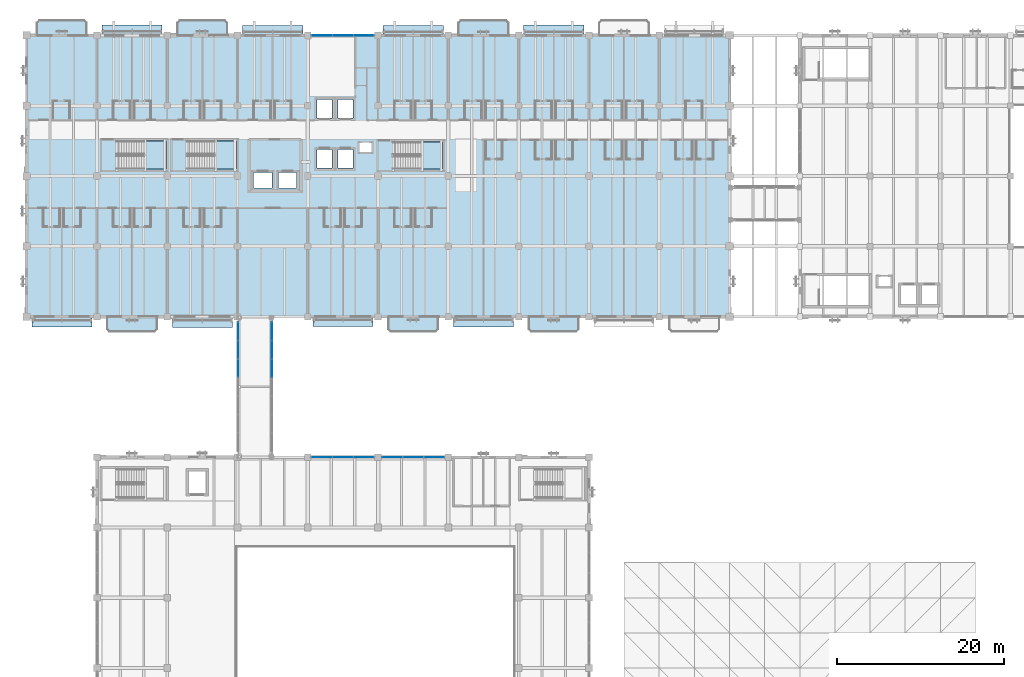
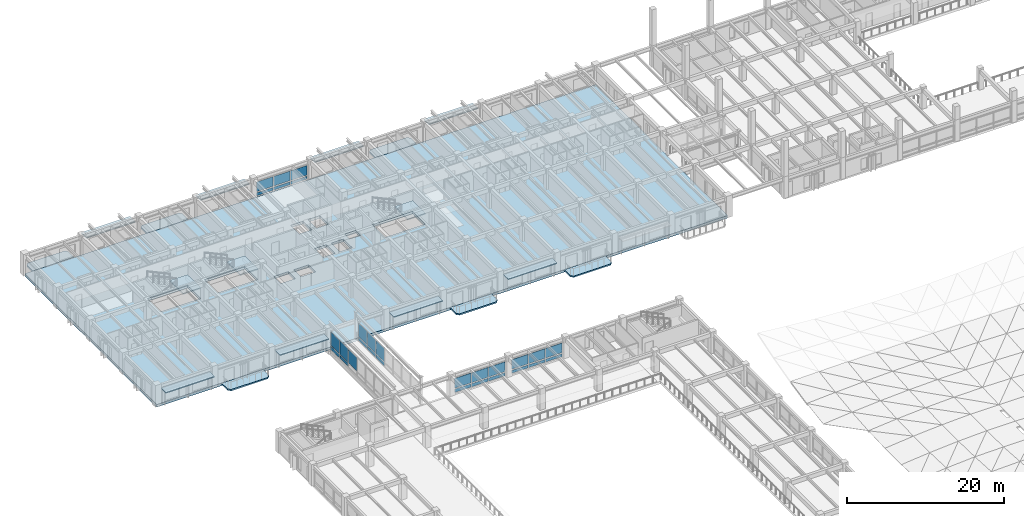
# One storey, part 67 of 123: 37 plates, 10 slabs, 16 elements without a shape of their own.
"""IFC4 building model written with IfcOpenShell, lengths in metres."""

from ifc_helpers import new_model, si_unit, direction, frame, origin, origin_2d, place, context, subcontext, project, spatial, polyline, rectangle, outline, extrude, material, layer, layer_set, type_object, element, aggregate, save


model = new_model("IFC4")

# Units and contexts
model_context = context("Model", 3, precision=1e-05, world=origin(), true_north=direction((0.0, 1.0)))
body_context = subcontext(model_context, "Body", "Model", "MODEL_VIEW")
ifc_project = project(units=[si_unit("LENGTHUNIT", "METRE"), si_unit("AREAUNIT", "SQUARE_METRE"), si_unit("VOLUMEUNIT", "CUBIC_METRE"), si_unit("PLANEANGLEUNIT", "RADIAN"), si_unit("MASSUNIT", "GRAM", prefix="KILO")], contexts=[model_context])

# Site, building, storey
site_placement = place(None, origin())
site = spatial("IfcSite", under=ifc_project, at=site_placement, CompositionType="ELEMENT")
building_placement = place(site_placement, origin())
building = spatial("IfcBuilding", under=site, at=building_placement, Name="Cumbredor Promenade Congress Hotel", CompositionType="ELEMENT")
storey_placement = place(building_placement, frame((0.0, 0.0, 11.760009765625)))
storey = spatial("IfcBuildingStorey", under=building, at=storey_placement, Name="L03", CompositionType="ELEMENT", Elevation=11.760009765625)

# Slabs
ifc_material_1 = material(Name="Concrete C40/50", Category="concrete")
ifc_layer_1 = layer(ifc_material_1, 0.215087890625, Name="Concrete C40/50", Category="concrete")
ifc_layer_set_1 = layer_set([ifc_layer_1], Name="Concrete C40/50")
slab_type_1 = type_object("IfcSlabType", Name="Cantilevered Guestroom Balcony Slab 215mm", PredefinedType="FLOOR", material=ifc_layer_set_1)
slab_1_placement = place(storey_placement, frame((0.0, 0.0, -0.215087890625)))
element("IfcSlab", 1, at=slab_1_placement, inside=storey, type_object=slab_type_1, Name="L03 Cantilevered Guestroom Veranda Balcony 012", PredefinedType="FLOOR", context=body_context, shape_type="SweptSolid", body=[
    extrude(outline(polyline([(1.14990234375, 117.60009765625), (7.25, 117.60009765625), (7.25, 119.10009765625), (6.89990234375, 119.449951171875), (1.5, 119.449951171875), (1.14990234375, 119.10009765625), (1.14990234375, 117.60009765625)])), origin(), (0.0, 0.0, 1.0), 0.215087890625),
])
slab_2_placement = place(storey_placement, frame((0.0, 0.0, -0.215087890625)))
element("IfcSlab", 2, at=slab_2_placement, inside=storey, type_object=slab_type_1, Name="L03 Cantilevered Guestroom Veranda Balcony 013", PredefinedType="FLOOR", context=body_context, shape_type="SweptSolid", body=[
    extrude(outline(polyline([(17.949951171875, 117.60009765625), (24.050048828125, 117.60009765625), (24.050048828125, 119.10009765625), (23.699951171875, 119.449951171875), (18.300048828125, 119.449951171875), (17.949951171875, 119.10009765625), (17.949951171875, 117.60009765625)])), origin(), (0.0, 0.0, 1.0), 0.215087890625),
])
slab_3_placement = place(storey_placement, frame((0.0, 0.0, -0.215087890625)))
element("IfcSlab", 3, at=slab_3_placement, inside=storey, type_object=slab_type_1, Name="L03 Cantilevered Guestroom Veranda Balcony 014", PredefinedType="FLOOR", context=body_context, shape_type="SweptSolid", body=[
    extrude(outline(polyline([(51.550048828125, 117.60009765625), (57.64990234375, 117.60009765625), (57.64990234375, 119.10009765625), (57.300048828125, 119.449951171875), (51.89990234375, 119.449951171875), (51.550048828125, 119.10009765625), (51.550048828125, 117.60009765625)])), origin(), (0.0, 0.0, 1.0), 0.215087890625),
])
slab_4_placement = place(storey_placement, frame((0.0, 0.0, -0.215087890625)))
element("IfcSlab", 4, at=slab_4_placement, inside=storey, type_object=slab_type_1, Name="L03 Cantilevered Guestroom Veranda Balcony 016", PredefinedType="FLOOR", context=body_context, shape_type="SweptSolid", body=[
    extrude(outline(polyline([(9.89990234375, 82.14990234375), (15.300048828125, 82.14990234375), (15.64990234375, 82.5), (15.64990234375, 84.0), (9.550048828125, 84.0), (9.550048828125, 82.5), (9.89990234375, 82.14990234375)])), origin(), (0.0, 0.0, 1.0), 0.215087890625),
])
slab_5_placement = place(storey_placement, frame((0.0, 0.0, -0.215087890625)))
element("IfcSlab", 5, at=slab_5_placement, inside=storey, type_object=slab_type_1, Name="L03 Cantilevered Guestroom Veranda Balcony 017", PredefinedType="FLOOR", context=body_context, shape_type="SweptSolid", body=[
    extrude(outline(polyline([(43.5, 82.14990234375), (48.89990234375, 82.14990234375), (49.25, 82.5), (49.25, 84.0), (43.14990234375, 84.0), (43.14990234375, 82.5), (43.5, 82.14990234375)])), origin(), (0.0, 0.0, 1.0), 0.215087890625),
])
slab_6_placement = place(storey_placement, frame((0.0, 0.0, -0.215087890625)))
element("IfcSlab", 6, at=slab_6_placement, inside=storey, type_object=slab_type_1, Name="L03 Cantilevered Guestroom Veranda Balcony 018", PredefinedType="FLOOR", context=body_context, shape_type="SweptSolid", body=[
    extrude(outline(polyline([(60.300048828125, 82.14990234375), (65.699951171875, 82.14990234375), (66.050048828125, 82.5), (66.050048828125, 84.0), (59.949951171875, 84.0), (59.949951171875, 82.5), (60.300048828125, 82.14990234375)])), origin(), (0.0, 0.0, 1.0), 0.215087890625),
])

# Stair, slab
stair_type_1 = type_object("IfcStairType", Name="Protected Dog-Leg Exit Stair ST-T2 1600mm", PredefinedType="HALF_TURN_STAIR", material=ifc_material_1)
stair_1_placement = place(storey_placement, origin())
stair_1 = element("IfcStair", 7, at=stair_1_placement, inside=storey, type_object=stair_type_1, Name="L03 Protected Exit Stair ST-01", PredefinedType="HALF_TURN_STAIR")
ifc_layer_2 = layer(ifc_material_1, 0.199951171875, Name="Concrete C40/50", Category="concrete")
ifc_layer_set_2 = layer_set([ifc_layer_2], Name="Concrete C40/50")
slab_type_2 = type_object("IfcSlabType", Name="Concrete Stair Landing Slab 200mm", PredefinedType="LANDING", material=ifc_layer_set_2)
slab_7_placement = place(storey_placement, frame((0.0, 0.0, 1.47998046875)))
slab_7 = element("IfcSlab", 8, at=slab_7_placement, type_object=slab_type_2, Name="ST-01 landing 1", PredefinedType="LANDING", context=body_context, shape_type="SweptSolid", body=[
    extrude(outline(polyline([(14.050048828125, 101.6201171875), (16.64990234375, 101.6201171875), (16.64990234375, 104.969970703125), (14.050048828125, 104.969970703125), (14.050048828125, 101.6201171875)])), origin(), (0.0, 0.0, 1.0), 0.199951171875),
])
aggregate(stair_1, [slab_7])

stair_2_placement = place(storey_placement, origin())
stair_2 = element("IfcStair", 9, at=stair_2_placement, inside=storey, type_object=stair_type_1, Name="L03 Protected Exit Stair ST-02", PredefinedType="HALF_TURN_STAIR")
slab_8_placement = place(storey_placement, frame((0.0, 0.0, 1.47998046875)))
slab_8 = element("IfcSlab", 10, at=slab_8_placement, type_object=slab_type_2, Name="ST-02 landing 1", PredefinedType="LANDING", context=body_context, shape_type="SweptSolid", body=[
    extrude(outline(polyline([(22.449951171875, 101.6201171875), (25.050048828125, 101.6201171875), (25.050048828125, 104.969970703125), (22.449951171875, 104.969970703125), (22.449951171875, 101.6201171875)])), origin(), (0.0, 0.0, 1.0), 0.199951171875),
])
aggregate(stair_2, [slab_8])

stair_type_2 = type_object("IfcStairType", Name="Protected Dog-Leg Exit Stair ST-T1 1550mm", PredefinedType="HALF_TURN_STAIR", material=ifc_material_1)
stair_3_placement = place(storey_placement, origin())
stair_3 = element("IfcStair", 11, at=stair_3_placement, inside=storey, type_object=stair_type_2, Name="L03 Protected Exit Stair ST-03", PredefinedType="HALF_TURN_STAIR")
slab_9_placement = place(storey_placement, frame((0.0, 0.0, 1.47998046875)))
slab_9 = element("IfcSlab", 12, at=slab_9_placement, type_object=slab_type_2, Name="ST-03 landing 1", PredefinedType="LANDING", context=body_context, shape_type="SweptSolid", body=[
    extrude(outline(polyline([(47.10009765625, 101.6201171875), (49.699951171875, 101.6201171875), (49.699951171875, 104.8701171875), (47.10009765625, 104.8701171875), (47.10009765625, 101.6201171875)])), origin(), (0.0, 0.0, 1.0), 0.199951171875),
])
aggregate(stair_3, [slab_9])

# Curtain wall, plates
ifc_material_2 = material(Name="Thermally broken anodized aluminium and low-E glass", Category="aluminium")
curtain_wall_type_1 = type_object("IfcCurtainWallType", Name="Unitised Bridge Glazing Screen CW-05", PredefinedType="NOTDEFINED", material=ifc_material_2)
curtain_wall_1_placement = place(storey_placement, origin())
curtain_wall_1 = element("IfcCurtainWall", 13, at=curtain_wall_1_placement, inside=storey, type_object=curtain_wall_type_1, Name="L03 West Congress-to-Hotel Glazed Bridge West Glazing Screen", PredefinedType="NOTDEFINED")
ifc_material_3 = material(Name="Laminated low-E solar-control glass", Category="glass")
ifc_layer_3 = layer(ifc_material_3, 0.030029296875, Name="Laminated low-E solar-control glass", Category="glass")
ifc_layer_set_3 = layer_set([ifc_layer_3], Name="Laminated low-E solar-control glass")
plate_type_1 = type_object("IfcPlateType", Name="Glazed Bridge Panel PNL-04", PredefinedType="CURTAIN_PANEL", material=ifc_layer_set_3)
plate_1_placement = place(storey_placement, frame((25.280029296875, 77.811279296875, 0.78515625), z_axis=(0.0, 0.0, 1.0), x_axis=(0.0, 1.0, 0.0)))
plate_1 = element("IfcPlate", 14, at=plate_1_placement, type_object=plate_type_1, Name="L03 West Congress-to-Hotel Glazed Bridge West Glazing Screen Glazing Panel 5.2", PredefinedType="CURTAIN_PANEL", context=body_context, shape_type="SweptSolid", body=[
    extrude(rectangle(XDim=2.146484375, YDim=0.030029296875, at=origin_2d()), origin(), (0.0, 0.0, 1.0), 2.070068359375),
])
plate_2_placement = place(storey_placement, frame((25.280029296875, 80.02294921875, 0.78515625), z_axis=(0.0, 0.0, 1.0), x_axis=(0.0, 1.0, 0.0)))
plate_2 = element("IfcPlate", 15, at=plate_2_placement, type_object=plate_type_1, Name="L03 West Congress-to-Hotel Glazed Bridge West Glazing Screen Glazing Panel 6.2", PredefinedType="CURTAIN_PANEL", context=body_context, shape_type="SweptSolid", body=[
    extrude(rectangle(XDim=2.146484375, YDim=0.030029296875, at=origin_2d()), origin(), (0.0, 0.0, 1.0), 2.070068359375),
])
plate_3_placement = place(storey_placement, frame((25.280029296875, 82.234375, 0.78515625), z_axis=(0.0, 0.0, 1.0), x_axis=(0.0, 1.0, 0.0)))
plate_3 = element("IfcPlate", 16, at=plate_3_placement, type_object=plate_type_1, Name="L03 West Congress-to-Hotel Glazed Bridge West Glazing Screen Glazing Panel 7.2", PredefinedType="CURTAIN_PANEL", context=body_context, shape_type="SweptSolid", body=[
    extrude(rectangle(XDim=2.146484375, YDim=0.030029296875, at=origin_2d()), origin(), (0.0, 0.0, 1.0), 2.070068359375),
])

curtain_wall_2_placement = place(storey_placement, origin())
curtain_wall_2 = element("IfcCurtainWall", 17, at=curtain_wall_2_placement, inside=storey, type_object=curtain_wall_type_1, Name="L03 West Congress-to-Hotel Glazed Bridge East Glazing Screen", PredefinedType="NOTDEFINED")
plate_4_placement = place(storey_placement, frame((29.320068359375, 77.811279296875, 0.78515625), z_axis=(0.0, 0.0, 1.0), x_axis=(0.0, 1.0, 0.0)))
plate_4 = element("IfcPlate", 18, at=plate_4_placement, type_object=plate_type_1, Name="L03 West Congress-to-Hotel Glazed Bridge East Glazing Screen Glazing Panel 5.2", PredefinedType="CURTAIN_PANEL", context=body_context, shape_type="SweptSolid", body=[
    extrude(rectangle(XDim=2.146484375, YDim=0.030029296875, at=origin_2d()), origin(), (0.0, 0.0, 1.0), 2.070068359375),
])
plate_5_placement = place(storey_placement, frame((29.320068359375, 80.02294921875, 0.78515625), z_axis=(0.0, 0.0, 1.0), x_axis=(0.0, 1.0, 0.0)))
plate_5 = element("IfcPlate", 19, at=plate_5_placement, type_object=plate_type_1, Name="L03 West Congress-to-Hotel Glazed Bridge East Glazing Screen Glazing Panel 6.2", PredefinedType="CURTAIN_PANEL", context=body_context, shape_type="SweptSolid", body=[
    extrude(rectangle(XDim=2.146484375, YDim=0.030029296875, at=origin_2d()), origin(), (0.0, 0.0, 1.0), 2.070068359375),
])
plate_6_placement = place(storey_placement, frame((29.320068359375, 82.234375, 0.78515625), z_axis=(0.0, 0.0, 1.0), x_axis=(0.0, 1.0, 0.0)))
plate_6 = element("IfcPlate", 20, at=plate_6_placement, type_object=plate_type_1, Name="L03 West Congress-to-Hotel Glazed Bridge East Glazing Screen Glazing Panel 7.2", PredefinedType="CURTAIN_PANEL", context=body_context, shape_type="SweptSolid", body=[
    extrude(rectangle(XDim=2.146484375, YDim=0.030029296875, at=origin_2d()), origin(), (0.0, 0.0, 1.0), 2.070068359375),
])

curtain_wall_type_2 = type_object("IfcCurtainWallType", Name="Unitised Bronze Curtain Wall CW-01", PredefinedType="NOTDEFINED", material=ifc_material_2)
curtain_wall_3_placement = place(storey_placement, origin())
curtain_wall_3 = element("IfcCurtainWall", 21, at=curtain_wall_3_placement, inside=storey, type_object=curtain_wall_type_2, Name="L03 Plenary Congress Hall North Curtain Wall 4", PredefinedType="NOTDEFINED")
ifc_layer_4 = layer(ifc_material_3, 0.031982421875, Name="Laminated low-E solar-control glass", Category="glass")
ifc_layer_set_4 = layer_set([ifc_layer_4], Name="Laminated low-E solar-control glass")
plate_type_2 = type_object("IfcPlateType", Name="Glazed Vision Panel PNL-02", PredefinedType="CURTAIN_PANEL", material=ifc_layer_set_4)
plate_7_placement = place(storey_placement, frame((35.303466796875, 67.199951171875, 0.794921875), z_axis=(0.0, 0.0, 1.0), x_axis=(1.0, 0.0, 0.0)))
plate_7 = element("IfcPlate", 22, at=plate_7_placement, type_object=plate_type_2, Name="L03 Plenary Congress Hall North Curtain Wall 4 Glazing Panel 1.2", PredefinedType="CURTAIN_PANEL", context=body_context, shape_type="SweptSolid", body=[
    extrude(rectangle(XDim=2.421630859375, YDim=0.031982421875, at=origin_2d()), origin(), (0.0, 0.0, 1.0), 1.550048828125),
])
plate_8_placement = place(storey_placement, frame((37.800048828125, 67.199951171875, 0.794921875), z_axis=(0.0, 0.0, 1.0), x_axis=(1.0, 0.0, 0.0)))
plate_8 = element("IfcPlate", 23, at=plate_8_placement, type_object=plate_type_2, Name="L03 Plenary Congress Hall North Curtain Wall 4 Glazing Panel 2.2", PredefinedType="CURTAIN_PANEL", context=body_context, shape_type="SweptSolid", body=[
    extrude(rectangle(XDim=2.421630859375, YDim=0.031982421875, at=origin_2d()), origin(), (0.0, 0.0, 1.0), 1.550048828125),
])
plate_9_placement = place(storey_placement, frame((40.296630859375, 67.199951171875, 0.794921875), z_axis=(0.0, 0.0, 1.0), x_axis=(1.0, 0.0, 0.0)))
plate_9 = element("IfcPlate", 24, at=plate_9_placement, type_object=plate_type_2, Name="L03 Plenary Congress Hall North Curtain Wall 4 Glazing Panel 3.2", PredefinedType="CURTAIN_PANEL", context=body_context, shape_type="SweptSolid", body=[
    extrude(rectangle(XDim=2.421630859375, YDim=0.031982421875, at=origin_2d()), origin(), (0.0, 0.0, 1.0), 1.550048828125),
])

curtain_wall_4_placement = place(storey_placement, origin())
curtain_wall_4 = element("IfcCurtainWall", 25, at=curtain_wall_4_placement, inside=storey, type_object=curtain_wall_type_2, Name="L03 Plenary Congress Hall North Curtain Wall 5", PredefinedType="NOTDEFINED")
ifc_layer_5 = layer(ifc_material_3, 0.028076171875, Name="Laminated low-E solar-control glass", Category="glass")
ifc_layer_set_5 = layer_set([ifc_layer_5], Name="Laminated low-E solar-control glass")
plate_type_3 = type_object("IfcPlateType", Name="Glazed Vision Panel PNL-03", PredefinedType="CURTAIN_PANEL", material=ifc_layer_set_5)
plate_10_placement = place(storey_placement, frame((43.703369140625, 67.199951171875, 0.81005859375), z_axis=(0.0, 0.0, 1.0), x_axis=(1.0, 0.0, 0.0)))
plate_10 = element("IfcPlate", 26, at=plate_10_placement, type_object=plate_type_3, Name="L03 Plenary Congress Hall North Curtain Wall 5 Glazing Panel 1.2", PredefinedType="CURTAIN_PANEL", context=body_context, shape_type="SweptSolid", body=[
    extrude(rectangle(XDim=2.416748046875, YDim=0.028076171875, at=origin_2d()), origin(), (0.0, 0.0, 1.0), 1.5),
])
plate_11_placement = place(storey_placement, frame((46.199951171875, 67.199951171875, 0.81005859375), z_axis=(0.0, 0.0, 1.0), x_axis=(1.0, 0.0, 0.0)))
plate_11 = element("IfcPlate", 27, at=plate_11_placement, type_object=plate_type_3, Name="L03 Plenary Congress Hall North Curtain Wall 5 Glazing Panel 2.2", PredefinedType="CURTAIN_PANEL", context=body_context, shape_type="SweptSolid", body=[
    extrude(rectangle(XDim=2.41650390625, YDim=0.028076171875, at=origin_2d()), origin(), (0.0, 0.0, 1.0), 1.5),
])
plate_12_placement = place(storey_placement, frame((48.69677734375, 67.199951171875, 0.81005859375), z_axis=(0.0, 0.0, 1.0), x_axis=(1.0, 0.0, 0.0)))
plate_12 = element("IfcPlate", 28, at=plate_12_placement, type_object=plate_type_3, Name="L03 Plenary Congress Hall North Curtain Wall 5 Glazing Panel 3.2", PredefinedType="CURTAIN_PANEL", context=body_context, shape_type="SweptSolid", body=[
    extrude(rectangle(XDim=2.416748046875, YDim=0.028076171875, at=origin_2d()), origin(), (0.0, 0.0, 1.0), 1.5),
])

curtain_wall_5_placement = place(storey_placement, origin())
curtain_wall_5 = element("IfcCurtainWall", 29, at=curtain_wall_5_placement, inside=storey, type_object=curtain_wall_type_2, Name="L03 Stepped Congress Hotel Wing North Curtain Wall 5", PredefinedType="NOTDEFINED")
plate_13_placement = place(storey_placement, frame((35.30322265625, 117.60009765625, 0.81005859375), z_axis=(0.0, 0.0, 1.0), x_axis=(1.0, 0.0, 0.0)))
plate_13 = element("IfcPlate", 30, at=plate_13_placement, type_object=plate_type_3, Name="L03 Stepped Congress Hotel Wing North Curtain Wall 5 Glazing Panel 1.2", PredefinedType="CURTAIN_PANEL", context=body_context, shape_type="SweptSolid", body=[
    extrude(rectangle(XDim=2.416748046875, YDim=0.028076171875, at=origin_2d()), origin(), (0.0, 0.0, 1.0), 1.5),
])
plate_14_placement = place(storey_placement, frame((37.800048828125, 117.60009765625, 0.81005859375), z_axis=(0.0, 0.0, 1.0), x_axis=(1.0, 0.0, 0.0)))
plate_14 = element("IfcPlate", 31, at=plate_14_placement, type_object=plate_type_3, Name="L03 Stepped Congress Hotel Wing North Curtain Wall 5 Glazing Panel 2.2", PredefinedType="CURTAIN_PANEL", context=body_context, shape_type="SweptSolid", body=[
    extrude(rectangle(XDim=2.41650390625, YDim=0.028076171875, at=origin_2d()), origin(), (0.0, 0.0, 1.0), 1.5),
])
plate_15_placement = place(storey_placement, frame((40.296630859375, 117.60009765625, 0.81005859375), z_axis=(0.0, 0.0, 1.0), x_axis=(1.0, 0.0, 0.0)))
plate_15 = element("IfcPlate", 32, at=plate_15_placement, type_object=plate_type_3, Name="L03 Stepped Congress Hotel Wing North Curtain Wall 5 Glazing Panel 3.2", PredefinedType="CURTAIN_PANEL", context=body_context, shape_type="SweptSolid", body=[
    extrude(rectangle(XDim=2.416748046875, YDim=0.028076171875, at=origin_2d()), origin(), (0.0, 0.0, 1.0), 1.5),
])

# Curtain wall, plate
curtain_wall_type_3 = type_object("IfcCurtainWallType", Name="Solar Brise-Soleil Screen Assembly CW-07", PredefinedType="NOTDEFINED", material=ifc_material_2)
curtain_wall_6_placement = place(storey_placement, origin())
curtain_wall_6 = element("IfcCurtainWall", 33, at=curtain_wall_6_placement, inside=storey, type_object=curtain_wall_type_3, Name="L03 Hospitality Brise-Soleil Screen 056", PredefinedType="NOTDEFINED")
ifc_material_4 = material(Name="Precast concrete C40/50", Category="concrete")
ifc_layer_6 = layer(ifc_material_4, 0.14501953125, Name="Precast concrete C40/50", Category="concrete")
ifc_layer_set_6 = layer_set([ifc_layer_6], Name="Precast concrete C40/50")
plate_type_4 = type_object("IfcPlateType", Name="Horizontal Precast Sun-Hood Eyebrow Plate 145mm", PredefinedType="USERDEFINED", material=ifc_layer_set_6)
plate_16_placement = place(storey_placement, frame((4.22509765625, 83.419921875, 2.25390625), z_axis=(0.0, 0.0, 1.0), x_axis=(1.0, 0.0, 0.0)))
plate_16 = element("IfcPlate", 34, at=plate_16_placement, type_object=plate_type_4, Name="L03 Horizontal Sun-Hood Eyebrow 056", ObjectType="SUN HOOD", PredefinedType="USERDEFINED", context=body_context, shape_type="SweptSolid", body=[
    extrude(rectangle(XDim=7.14794921875, YDim=1.320068359375, at=origin_2d()), origin(), (0.0, 0.0, 1.0), 0.14501953125),
])
aggregate(curtain_wall_6, [plate_16])

curtain_wall_7_placement = place(storey_placement, origin())
curtain_wall_7 = element("IfcCurtainWall", 35, at=curtain_wall_7_placement, inside=storey, type_object=curtain_wall_type_3, Name="L03 Hospitality Brise-Soleil Screen 057", PredefinedType="NOTDEFINED")
plate_17_placement = place(storey_placement, frame((21.0, 83.402587890625, 2.25390625), z_axis=(0.0, 0.0, 1.0), x_axis=(1.0, 0.0, 0.0)))
plate_17 = element("IfcPlate", 36, at=plate_17_placement, type_object=plate_type_4, Name="L03 Horizontal Sun-Hood Eyebrow 057", ObjectType="SUN HOOD", PredefinedType="USERDEFINED", context=body_context, shape_type="SweptSolid", body=[
    extrude(rectangle(XDim=7.197998046875, YDim=1.35498046875, at=origin_2d()), origin(), (0.0, 0.0, 1.0), 0.14501953125),
])
aggregate(curtain_wall_7, [plate_17])

curtain_wall_8_placement = place(storey_placement, origin())
curtain_wall_8 = element("IfcCurtainWall", 37, at=curtain_wall_8_placement, inside=storey, type_object=curtain_wall_type_3, Name="L03 Hospitality Brise-Soleil Screen 058", PredefinedType="NOTDEFINED")
plate_18_placement = place(storey_placement, frame((37.800048828125, 83.445068359375, 2.25390625), z_axis=(0.0, 0.0, 1.0), x_axis=(1.0, 0.0, 0.0)))
plate_18 = element("IfcPlate", 38, at=plate_18_placement, type_object=plate_type_4, Name="L03 Horizontal Sun-Hood Eyebrow 058", ObjectType="SUN HOOD", PredefinedType="USERDEFINED", context=body_context, shape_type="SweptSolid", body=[
    extrude(rectangle(XDim=7.197998046875, YDim=1.27001953125, at=origin_2d()), origin(), (0.0, 0.0, 1.0), 0.14501953125),
])
aggregate(curtain_wall_8, [plate_18])

curtain_wall_9_placement = place(storey_placement, origin())
curtain_wall_9 = element("IfcCurtainWall", 39, at=curtain_wall_9_placement, inside=storey, type_object=curtain_wall_type_3, Name="L03 Hospitality Brise-Soleil Screen 059", PredefinedType="NOTDEFINED")
plate_19_placement = place(storey_placement, frame((54.60009765625, 83.433837890625, 2.25390625), z_axis=(0.0, 0.0, 1.0), x_axis=(1.0, 0.0, 0.0)))
plate_19 = element("IfcPlate", 40, at=plate_19_placement, type_object=plate_type_4, Name="L03 Horizontal Sun-Hood Eyebrow 059", ObjectType="SUN HOOD", PredefinedType="USERDEFINED", context=body_context, shape_type="SweptSolid", body=[
    extrude(rectangle(XDim=7.197998046875, YDim=1.29248046875, at=origin_2d()), origin(), (0.0, 0.0, 1.0), 0.14501953125),
])
aggregate(curtain_wall_9, [plate_19])

curtain_wall_10_placement = place(storey_placement, origin())
curtain_wall_10 = element("IfcCurtainWall", 41, at=curtain_wall_10_placement, inside=storey, type_object=curtain_wall_type_3, Name="L03 Hospitality Brise-Soleil Screen 061", PredefinedType="NOTDEFINED")
plate_20_placement = place(storey_placement, frame((12.60009765625, 118.191162109375, 2.333984375), z_axis=(0.0, 0.0, 1.0), x_axis=(1.0, 0.0, 0.0)))
plate_20 = element("IfcPlate", 42, at=plate_20_placement, type_object=plate_type_4, Name="L03 Horizontal Sun-Hood Eyebrow 061", ObjectType="SUN HOOD", PredefinedType="USERDEFINED", context=body_context, shape_type="SweptSolid", body=[
    extrude(rectangle(XDim=7.197998046875, YDim=1.342529296875, at=origin_2d()), origin(), (0.0, 0.0, 1.0), 0.14501953125),
])
aggregate(curtain_wall_10, [plate_20])

curtain_wall_11_placement = place(storey_placement, origin())
curtain_wall_11 = element("IfcCurtainWall", 43, at=curtain_wall_11_placement, inside=storey, type_object=curtain_wall_type_3, Name="L03 Hospitality Brise-Soleil Screen 062", PredefinedType="NOTDEFINED")
plate_21_placement = place(storey_placement, frame((29.39990234375, 118.14990234375, 2.333984375), z_axis=(0.0, 0.0, 1.0), x_axis=(1.0, 0.0, 0.0)))
plate_21 = element("IfcPlate", 44, at=plate_21_placement, type_object=plate_type_4, Name="L03 Horizontal Sun-Hood Eyebrow 062", ObjectType="SUN HOOD", PredefinedType="USERDEFINED", context=body_context, shape_type="SweptSolid", body=[
    extrude(rectangle(XDim=7.197998046875, YDim=1.260009765625, at=origin_2d()), origin(), (0.0, 0.0, 1.0), 0.14501953125),
])
aggregate(curtain_wall_11, [plate_21])

curtain_wall_12_placement = place(storey_placement, origin())
curtain_wall_12 = element("IfcCurtainWall", 45, at=curtain_wall_12_placement, inside=storey, type_object=curtain_wall_type_3, Name="L03 Hospitality Brise-Soleil Screen 063", PredefinedType="NOTDEFINED")
plate_22_placement = place(storey_placement, frame((46.199951171875, 118.159912109375, 2.333984375), z_axis=(0.0, 0.0, 1.0), x_axis=(1.0, 0.0, 0.0)))
plate_22 = element("IfcPlate", 46, at=plate_22_placement, type_object=plate_type_4, Name="L03 Horizontal Sun-Hood Eyebrow 063", ObjectType="SUN HOOD", PredefinedType="USERDEFINED", context=body_context, shape_type="SweptSolid", body=[
    extrude(rectangle(XDim=7.197998046875, YDim=1.280029296875, at=origin_2d()), origin(), (0.0, 0.0, 1.0), 0.14501953125),
])
aggregate(curtain_wall_12, [plate_22])

curtain_wall_13_placement = place(storey_placement, origin())
curtain_wall_13 = element("IfcCurtainWall", 47, at=curtain_wall_13_placement, inside=storey, type_object=curtain_wall_type_3, Name="L03 Hospitality Brise-Soleil Screen 064", PredefinedType="NOTDEFINED")
plate_23_placement = place(storey_placement, frame((63.0, 118.172607421875, 2.333984375), z_axis=(0.0, 0.0, 1.0), x_axis=(1.0, 0.0, 0.0)))
plate_23 = element("IfcPlate", 48, at=plate_23_placement, type_object=plate_type_4, Name="L03 Horizontal Sun-Hood Eyebrow 064", ObjectType="SUN HOOD", PredefinedType="USERDEFINED", context=body_context, shape_type="SweptSolid", body=[
    extrude(rectangle(XDim=7.197998046875, YDim=1.304931640625, at=origin_2d()), origin(), (0.0, 0.0, 1.0), 0.14501953125),
])
aggregate(curtain_wall_13, [plate_23])

# Plate
ifc_material_5 = material(Name="Thermally broken anodized aluminium", Category="aluminium")
ifc_layer_7 = layer(ifc_material_5, 0.0400390625, Name="Thermally broken anodized aluminium", Category="aluminium")
ifc_layer_set_7 = layer_set([ifc_layer_7], Name="Thermally broken anodized aluminium")
plate_type_5 = type_object("IfcPlateType", Name="Insulated Spandrel Panel PNL-05", PredefinedType="CURTAIN_PANEL", material=ifc_layer_set_7)
plate_24_placement = place(storey_placement, frame((35.303466796875, 67.199951171875, 0.14501953125), z_axis=(0.0, 0.0, 1.0), x_axis=(1.0, 0.0, 0.0)))
plate_24 = element("IfcPlate", 49, at=plate_24_placement, type_object=plate_type_5, Name="L03 Plenary Congress Hall North Curtain Wall 4 Spandrel Panel 1.1", PredefinedType="CURTAIN_PANEL", context=body_context, shape_type="SweptSolid", body=[
    extrude(rectangle(XDim=2.421630859375, YDim=0.0400390625, at=origin_2d()), origin(), (0.0, 0.0, 1.0), 0.5),
])

plate_25_placement = place(storey_placement, frame((37.800048828125, 67.199951171875, 0.14501953125), z_axis=(0.0, 0.0, 1.0), x_axis=(1.0, 0.0, 0.0)))
plate_25 = element("IfcPlate", 50, at=plate_25_placement, type_object=plate_type_5, Name="L03 Plenary Congress Hall North Curtain Wall 4 Spandrel Panel 2.1", PredefinedType="CURTAIN_PANEL", context=body_context, shape_type="SweptSolid", body=[
    extrude(rectangle(XDim=2.421630859375, YDim=0.0400390625, at=origin_2d()), origin(), (0.0, 0.0, 1.0), 0.5),
])

plate_26_placement = place(storey_placement, frame((40.296630859375, 67.199951171875, 0.14501953125), z_axis=(0.0, 0.0, 1.0), x_axis=(1.0, 0.0, 0.0)))
plate_26 = element("IfcPlate", 51, at=plate_26_placement, type_object=plate_type_5, Name="L03 Plenary Congress Hall North Curtain Wall 4 Spandrel Panel 3.1", PredefinedType="CURTAIN_PANEL", context=body_context, shape_type="SweptSolid", body=[
    extrude(rectangle(XDim=2.421630859375, YDim=0.0400390625, at=origin_2d()), origin(), (0.0, 0.0, 1.0), 0.5),
])

aggregate(curtain_wall_3, [plate_24, plate_7, plate_25, plate_8, plate_26, plate_9])

ifc_layer_8 = layer(ifc_material_5, 0.0400390625, Name="Thermally broken anodized aluminium", Category="aluminium")
ifc_layer_set_8 = layer_set([ifc_layer_8], Name="Thermally broken anodized aluminium")
plate_type_6 = type_object("IfcPlateType", Name="Insulated Spandrel Panel PNL-06", PredefinedType="CURTAIN_PANEL", material=ifc_layer_set_8)
plate_27_placement = place(storey_placement, frame((43.703369140625, 67.199951171875, 0.18017578125), z_axis=(0.0, 0.0, 1.0), x_axis=(1.0, 0.0, 0.0)))
plate_27 = element("IfcPlate", 52, at=plate_27_placement, type_object=plate_type_6, Name="L03 Plenary Congress Hall North Curtain Wall 5 Spandrel Panel 1.1", PredefinedType="CURTAIN_PANEL", context=body_context, shape_type="SweptSolid", body=[
    extrude(rectangle(XDim=2.416748046875, YDim=0.0400390625, at=origin_2d()), origin(), (0.0, 0.0, 1.0), 0.449951171875),
])

plate_28_placement = place(storey_placement, frame((46.199951171875, 67.199951171875, 0.18017578125), z_axis=(0.0, 0.0, 1.0), x_axis=(1.0, 0.0, 0.0)))
plate_28 = element("IfcPlate", 53, at=plate_28_placement, type_object=plate_type_6, Name="L03 Plenary Congress Hall North Curtain Wall 5 Spandrel Panel 2.1", PredefinedType="CURTAIN_PANEL", context=body_context, shape_type="SweptSolid", body=[
    extrude(rectangle(XDim=2.41650390625, YDim=0.0400390625, at=origin_2d()), origin(), (0.0, 0.0, 1.0), 0.449951171875),
])

plate_29_placement = place(storey_placement, frame((48.69677734375, 67.199951171875, 0.18017578125), z_axis=(0.0, 0.0, 1.0), x_axis=(1.0, 0.0, 0.0)))
plate_29 = element("IfcPlate", 54, at=plate_29_placement, type_object=plate_type_6, Name="L03 Plenary Congress Hall North Curtain Wall 5 Spandrel Panel 3.1", PredefinedType="CURTAIN_PANEL", context=body_context, shape_type="SweptSolid", body=[
    extrude(rectangle(XDim=2.416748046875, YDim=0.0400390625, at=origin_2d()), origin(), (0.0, 0.0, 1.0), 0.449951171875),
])

aggregate(curtain_wall_4, [plate_27, plate_10, plate_28, plate_11, plate_29, plate_12])

plate_30_placement = place(storey_placement, frame((35.30322265625, 117.60009765625, 0.18017578125), z_axis=(0.0, 0.0, 1.0), x_axis=(1.0, 0.0, 0.0)))
plate_30 = element("IfcPlate", 55, at=plate_30_placement, type_object=plate_type_6, Name="L03 Stepped Congress Hotel Wing North Curtain Wall 5 Spandrel Panel 1.1", PredefinedType="CURTAIN_PANEL", context=body_context, shape_type="SweptSolid", body=[
    extrude(rectangle(XDim=2.416748046875, YDim=0.0400390625, at=origin_2d()), origin(), (0.0, 0.0, 1.0), 0.449951171875),
])

plate_31_placement = place(storey_placement, frame((37.800048828125, 117.60009765625, 0.18017578125), z_axis=(0.0, 0.0, 1.0), x_axis=(1.0, 0.0, 0.0)))
plate_31 = element("IfcPlate", 56, at=plate_31_placement, type_object=plate_type_6, Name="L03 Stepped Congress Hotel Wing North Curtain Wall 5 Spandrel Panel 2.1", PredefinedType="CURTAIN_PANEL", context=body_context, shape_type="SweptSolid", body=[
    extrude(rectangle(XDim=2.41650390625, YDim=0.0400390625, at=origin_2d()), origin(), (0.0, 0.0, 1.0), 0.449951171875),
])

plate_32_placement = place(storey_placement, frame((40.296630859375, 117.60009765625, 0.18017578125), z_axis=(0.0, 0.0, 1.0), x_axis=(1.0, 0.0, 0.0)))
plate_32 = element("IfcPlate", 57, at=plate_32_placement, type_object=plate_type_6, Name="L03 Stepped Congress Hotel Wing North Curtain Wall 5 Spandrel Panel 3.1", PredefinedType="CURTAIN_PANEL", context=body_context, shape_type="SweptSolid", body=[
    extrude(rectangle(XDim=2.416748046875, YDim=0.0400390625, at=origin_2d()), origin(), (0.0, 0.0, 1.0), 0.449951171875),
])

aggregate(curtain_wall_5, [plate_30, plate_13, plate_31, plate_14, plate_32, plate_15])

plate_33_placement = place(storey_placement, frame((25.280029296875, 80.02294921875, 0.125), z_axis=(0.0, 0.0, 1.0), x_axis=(0.0, 1.0, 0.0)))
plate_33 = element("IfcPlate", 58, at=plate_33_placement, type_object=plate_type_6, Name="L03 West Congress-to-Hotel Glazed Bridge West Glazing Screen Spandrel Panel 6.1", PredefinedType="CURTAIN_PANEL", context=body_context, shape_type="SweptSolid", body=[
    extrude(rectangle(XDim=2.146484375, YDim=0.0400390625, at=origin_2d()), origin(), (0.0, 0.0, 1.0), 0.530029296875),
])

plate_34_placement = place(storey_placement, frame((25.280029296875, 82.234375, 0.125), z_axis=(0.0, 0.0, 1.0), x_axis=(0.0, 1.0, 0.0)))
plate_34 = element("IfcPlate", 59, at=plate_34_placement, type_object=plate_type_6, Name="L03 West Congress-to-Hotel Glazed Bridge West Glazing Screen Spandrel Panel 7.1", PredefinedType="CURTAIN_PANEL", context=body_context, shape_type="SweptSolid", body=[
    extrude(rectangle(XDim=2.146484375, YDim=0.0400390625, at=origin_2d()), origin(), (0.0, 0.0, 1.0), 0.530029296875),
])

aggregate(curtain_wall_1, [plate_1, plate_33, plate_2, plate_34, plate_3])

plate_35_placement = place(storey_placement, frame((29.320068359375, 77.811279296875, 0.125), z_axis=(0.0, 0.0, 1.0), x_axis=(0.0, 1.0, 0.0)))
plate_35 = element("IfcPlate", 60, at=plate_35_placement, type_object=plate_type_6, Name="L03 West Congress-to-Hotel Glazed Bridge East Glazing Screen Spandrel Panel 5.1", PredefinedType="CURTAIN_PANEL", context=body_context, shape_type="SweptSolid", body=[
    extrude(rectangle(XDim=2.146484375, YDim=0.0400390625, at=origin_2d()), origin(), (0.0, 0.0, 1.0), 0.530029296875),
])

plate_36_placement = place(storey_placement, frame((29.320068359375, 80.02294921875, 0.125), z_axis=(0.0, 0.0, 1.0), x_axis=(0.0, 1.0, 0.0)))
plate_36 = element("IfcPlate", 61, at=plate_36_placement, type_object=plate_type_6, Name="L03 West Congress-to-Hotel Glazed Bridge East Glazing Screen Spandrel Panel 6.1", PredefinedType="CURTAIN_PANEL", context=body_context, shape_type="SweptSolid", body=[
    extrude(rectangle(XDim=2.146484375, YDim=0.0400390625, at=origin_2d()), origin(), (0.0, 0.0, 1.0), 0.530029296875),
])

plate_37_placement = place(storey_placement, frame((29.320068359375, 82.234375, 0.125), z_axis=(0.0, 0.0, 1.0), x_axis=(0.0, 1.0, 0.0)))
plate_37 = element("IfcPlate", 62, at=plate_37_placement, type_object=plate_type_6, Name="L03 West Congress-to-Hotel Glazed Bridge East Glazing Screen Spandrel Panel 7.1", PredefinedType="CURTAIN_PANEL", context=body_context, shape_type="SweptSolid", body=[
    extrude(rectangle(XDim=2.146484375, YDim=0.0400390625, at=origin_2d()), origin(), (0.0, 0.0, 1.0), 0.530029296875),
])

aggregate(curtain_wall_2, [plate_35, plate_4, plate_36, plate_5, plate_37, plate_6])

# Slab
ifc_layer_9 = layer(ifc_material_1, 0.39990234375, Name="Concrete C40/50", Category="concrete")
ifc_layer_set_9 = layer_set([ifc_layer_9], Name="Concrete C40/50")
slab_type_3 = type_object("IfcSlabType", Name="Transfer Floor Slab 400mm", PredefinedType="FLOOR", material=ifc_layer_set_9)
slab_10_placement = place(storey_placement, frame((0.0, 0.0, -0.39990234375)))
element("IfcSlab", 63, at=slab_10_placement, inside=storey, type_object=slab_type_3, Name="L03 Stepped Congress Hotel Wing Floor Slab", PredefinedType="FLOOR", context=body_context, shape_type="SweptSolid", body=[
    extrude(outline(polyline([(0.0, 84.0), (84.0, 84.0), (84.0, 117.60009765625), (0.0, 117.60009765625), (0.0, 84.0)]), holes=[polyline([(10.75, 101.6201171875), (16.64990234375, 101.6201171875), (16.64990234375, 104.969970703125), (10.75, 104.969970703125), (10.75, 101.6201171875)]), polyline([(19.14990234375, 101.6201171875), (25.050048828125, 101.6201171875), (25.050048828125, 104.969970703125), (19.14990234375, 104.969970703125), (19.14990234375, 101.6201171875)]), polyline([(43.800048828125, 101.6201171875), (49.699951171875, 101.6201171875), (49.699951171875, 104.8701171875), (43.800048828125, 104.8701171875), (43.800048828125, 101.6201171875)]), polyline([(27.1298828125, 99.39990234375), (29.300048828125, 99.39990234375), (29.300048828125, 101.199951171875), (27.1298828125, 101.199951171875), (27.1298828125, 99.39990234375)]), polyline([(30.10009765625, 99.39990234375), (32.27001953125, 99.39990234375), (32.27001953125, 101.199951171875), (30.10009765625, 101.199951171875), (30.10009765625, 99.39990234375)]), polyline([(34.699951171875, 107.75), (36.5, 107.75), (36.5, 109.949951171875), (34.699951171875, 109.949951171875), (34.699951171875, 107.75)]), polyline([(37.199951171875, 107.75), (39.0, 107.75), (39.0, 109.949951171875), (37.199951171875, 109.949951171875), (37.199951171875, 107.75)]), polyline([(34.699951171875, 101.75), (36.5, 101.75), (36.5, 103.949951171875), (34.699951171875, 103.949951171875), (34.699951171875, 101.75)]), polyline([(37.199951171875, 101.75), (39.0, 101.75), (39.0, 103.949951171875), (37.199951171875, 103.949951171875), (37.199951171875, 101.75)]), polyline([(39.699951171875, 103.60009765625), (41.300048828125, 103.60009765625), (41.300048828125, 104.800048828125), (39.699951171875, 104.800048828125), (39.699951171875, 103.60009765625)])]), origin(), (0.0, 0.0, 1.0), 0.39990234375),
])

save(model, "model.ifc")
